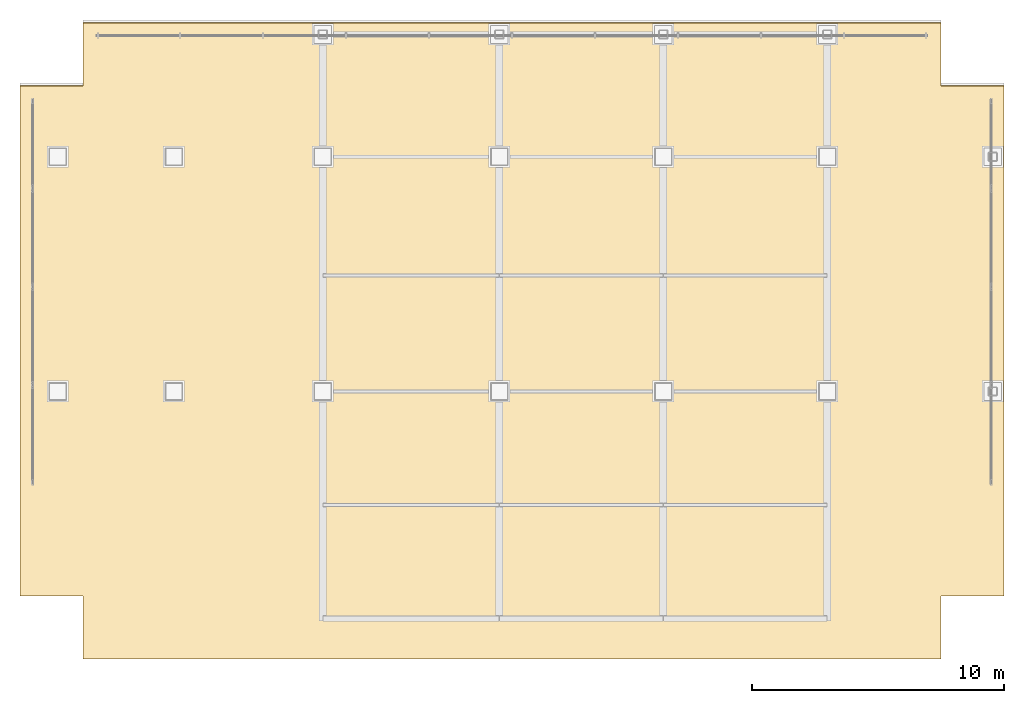
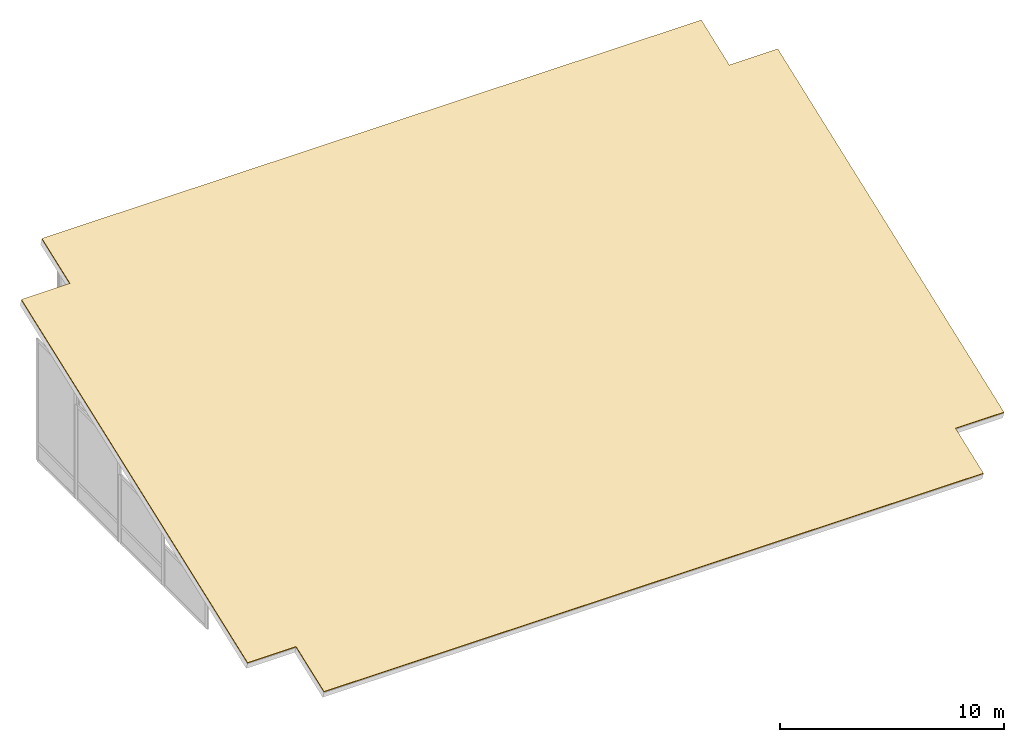
# One storey, part 12 of 12: 1 covering.
"""IFC4 building model written with IfcOpenShell, lengths in metres."""

from ifc_helpers import new_model, si_unit, direction, frame, origin, place, context, subcontext, project, spatial, polyline, outline, extrude, material, layer, layer_set, type_object, element, save


model = new_model("IFC4")

# Units and contexts
model_context = context("Model", 3, precision=1e-05, world=origin(), true_north=direction((0.0, 1.0)))
body_context = subcontext(model_context, "Body", "Model", "MODEL_VIEW")
ifc_project = project(units=[si_unit("LENGTHUNIT", "METRE"), si_unit("AREAUNIT", "SQUARE_METRE"), si_unit("VOLUMEUNIT", "CUBIC_METRE"), si_unit("PLANEANGLEUNIT", "RADIAN"), si_unit("MASSUNIT", "GRAM", prefix="KILO")], contexts=[model_context])

# Site, building, storey
site_placement = place(None, origin())
site = spatial("IfcSite", under=ifc_project, at=site_placement, CompositionType="ELEMENT")
building_placement = place(site_placement, origin())
building = spatial("IfcBuilding", under=site, at=building_placement, Name="Noeulbin Bourse Tower", CompositionType="ELEMENT")
storey_placement = place(building_placement, frame((0.0, 0.0, 317.39990234375)))
storey = spatial("IfcBuildingStorey", under=building, at=storey_placement, Name="RF", CompositionType="ELEMENT", Elevation=317.39990234375)

# Covering
ifc_material = material(Name="TPO Insulated Waterproofing Membrane")
ifc_layer = layer(ifc_material, 0.06005859375)
ifc_layer_set = layer_set([ifc_layer], Name="TPO Insulated Waterproofing Membrane")
covering_type = type_object("IfcCoveringType", Name="COV-ROOF-MEM", PredefinedType="ROOFING", material=ifc_layer_set)
covering_placement = place(storey_placement, frame((14.5, 18.39990234375, 0.06005859375), z_axis=(0.0, -0.35020447026, 0.936673277621), x_axis=(1.0, 0.0, 0.0)))
element("IfcCovering", 1, at=covering_placement, inside=storey, type_object=covering_type, Name="Sloped Crown Roof Membrane Covering", PredefinedType="ROOFING", context=body_context, shape_type="SweptSolid", body=[
    extrude(outline(polyline([(0.0, 0.0), (34.0, 0.0), (34.0, 2.669059394401394), (36.5, 2.669059394401394), (36.5, 24.234958388025213), (34.0, 24.234958388025213), (34.0, 26.90393228328836), (0.0, 26.90393228328836), (0.0, 24.234958388025213), (-2.5, 24.234958388025213), (-2.5, 2.669059394401394), (0.0, 2.669059394401394), (0.0, 0.0)])), origin(), (0.0, 0.0, -1.0), 0.06005859375),
])

save(model, "model.ifc")
